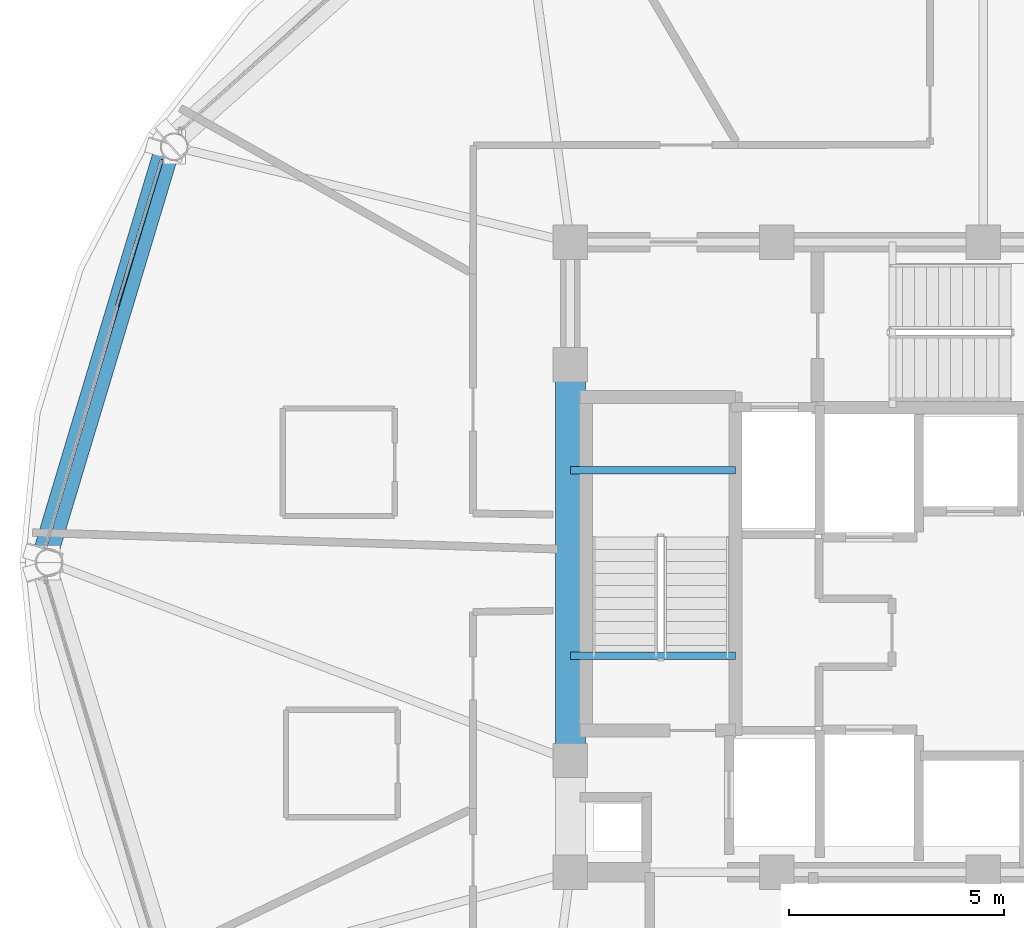
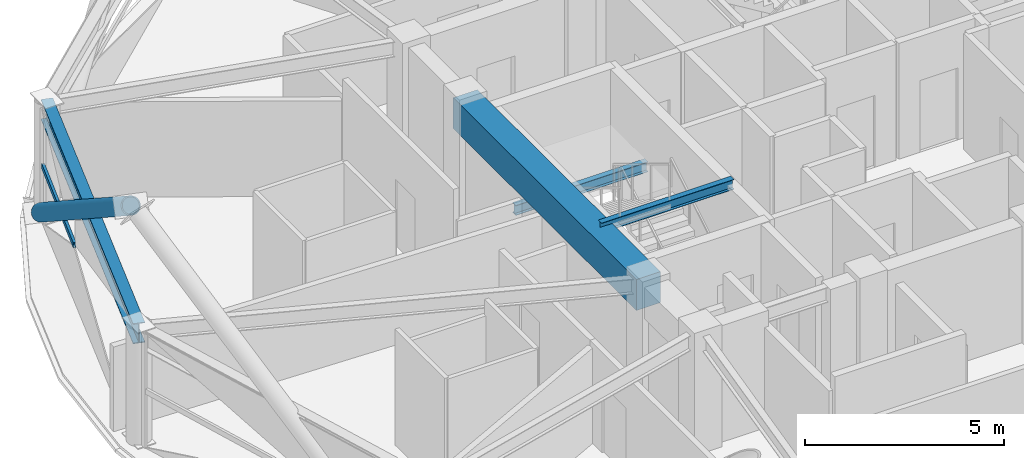
# One storey, part 8 of 29: 4 beams, 2 members, 1 element without a shape of its own.
"""IFC4 building model written with IfcOpenShell, lengths in metres."""

from ifc_helpers import new_model, si_unit, direction, frame, origin, origin_2d, place, context, subcontext, project, spatial, rectangle, hollow_rectangle, hollow_circle, i_section, extrude, material, layer, layer_set, material_profile, profile_set, type_object, element, aggregate, save


model = new_model("IFC4")

# Units and contexts
model_context = context("Model", 3, precision=1e-05, world=origin(), true_north=direction((0.0, 1.0)))
body_context = subcontext(model_context, "Body", "Model", "MODEL_VIEW")
ifc_project = project(units=[si_unit("LENGTHUNIT", "METRE"), si_unit("AREAUNIT", "SQUARE_METRE"), si_unit("VOLUMEUNIT", "CUBIC_METRE"), si_unit("PLANEANGLEUNIT", "RADIAN"), si_unit("MASSUNIT", "GRAM", prefix="KILO")], contexts=[model_context])

# Site, building, storey
site_placement = place(None, origin())
site = spatial("IfcSite", under=ifc_project, at=site_placement, CompositionType="ELEMENT")
building_placement = place(site_placement, origin())
building = spatial("IfcBuilding", under=site, at=building_placement, Name="Vantalir Tower", CompositionType="ELEMENT")
storey_placement = place(building_placement, frame((0.0, 0.0, 234.89990234375)))
storey = spatial("IfcBuildingStorey", under=building, at=storey_placement, Name="L59", CompositionType="ELEMENT", Elevation=234.89990234375)

# Beams
ifc_material_1 = material(Name="Concrete C60/75", Category="concrete")
ifc_material_profile_1 = material_profile(ifc_material_1, rectangle(XDim=0.699951171875, YDim=0.949951171875, at=origin_2d()), Name="Concrete C60/75")
ifc_profile_set_1 = profile_set([ifc_material_profile_1], Name="Concrete C60/75")
beam_type_1 = type_object("IfcBeamType", Name="BM-CB-700x950", PredefinedType="USERDEFINED", material=ifc_profile_set_1)
beam_1_placement = place(storey_placement, frame((21.89990234375, 29.60009765625, 3.09521484375), z_axis=(0.0, -1.0, 0.0), x_axis=(1.0, 0.0, 0.0)))
element("IfcBeam", 1, at=beam_1_placement, inside=storey, type_object=beam_type_1, Name="L59 Core Coupling Girder 13", ObjectType="GIRDER", PredefinedType="USERDEFINED", context=body_context, shape_type="SweptSolid", body=[
    extrude(rectangle(XDim=0.699951171875, YDim=0.949951171875, at=origin_2d()), origin(), (0.0, 0.0, 1.0), 9.2001953125),
])
ifc_material_2 = material(Name="Steel S355", Category="steel")
ifc_material_profile_2 = material_profile(ifc_material_2, i_section(OverallWidth=0.166015625, OverallDepth=0.306884765625, WebThickness=0.006591796875, FlangeThickness=0.01171875, at=origin_2d()), Name="Steel S355")
ifc_profile_set_2 = profile_set([ifc_material_profile_2], Name="Steel S355")
beam_type_2 = type_object("IfcBeamType", Name="BM-JS-305x165", PredefinedType="JOIST", material=ifc_profile_set_2)
for number, where, z_axis, x_axis, name in (
    (2, (21.89990234375, 22.8349609375, 3.59619140625), (1.0, 0.0, 0.0), (0.0, 1.0, 0.0), "L60 Stair ST1 Well Nosing Trimmer Beam"),
    (3, (21.89990234375, 27.14501953125, 1.52099609375), (1.0, 0.0, 0.0), (0.0, 1.0, 0.0), "L59 Stair ST1 Half-Landing Support Beam"),
):
    element("IfcBeam", number, at=place(storey_placement, frame(where, z_axis=z_axis, x_axis=x_axis)), inside=storey, type_object=beam_type_2, Name=name, PredefinedType="JOIST", context=body_context, shape_type="SweptSolid", body=[
        extrude(i_section(OverallWidth=0.166015625, OverallDepth=0.306884765625, WebThickness=0.006591796875, FlangeThickness=0.01171875, at=origin_2d()), origin(), (0.0, 0.0, 1.0), 3.840087890625),
    ])
ifc_material_3 = material(Name="Steel S460", Category="steel")
ifc_material_profile_3 = material_profile(ifc_material_3, i_section(OverallWidth=0.306884765625, OverallDepth=0.6201171875, WebThickness=0.01416015625, FlangeThickness=0.023681640625, at=origin_2d()), Name="Steel S460")
ifc_profile_set_3 = profile_set([ifc_material_profile_3], Name="Steel S460")
beam_type_3 = type_object("IfcBeamType", Name="BM-RG-610x305", PredefinedType="USERDEFINED", material=ifc_profile_set_3)
beam_2_placement = place(storey_placement, frame((12.69189453125, 34.666015625, 3.260009765625), z_axis=(-0.288266356679, -0.95755026375, 0.0), x_axis=(0.95755026375, -0.288266356679, 0.0)))
element("IfcBeam", 4, at=beam_2_placement, inside=storey, type_object=beam_type_3, Name="L59 Circumferential Ring Girder 06", ObjectType="GIRDER", PredefinedType="USERDEFINED", context=body_context, shape_type="SweptSolid", body=[
    extrude(i_section(OverallWidth=0.306884765625, OverallDepth=0.6201171875, WebThickness=0.01416015625, FlangeThickness=0.023681640625, at=origin_2d()), origin(), (0.0, 0.0, 1.0), 10.094482421875),
])

# Curtain wall, member
ifc_material_4 = material(Name="Champagne-silver PVDF aluminium and double-silver Low-E glass", Category="aluminium")
ifc_layer = layer(ifc_material_4, 0.2099609375)
ifc_layer_set = layer_set([ifc_layer], Name="Champagne-silver PVDF aluminium and double-silver Low-E glass")
curtain_wall_type = type_object("IfcCurtainWallType", Name="CW-DIAMOND-Z3", PredefinedType="USERDEFINED", material=ifc_layer_set)
curtain_wall_placement = place(storey_placement, origin())
curtain_wall = element("IfcCurtainWall", 5, at=curtain_wall_placement, inside=storey, type_object=curtain_wall_type, Name="L59 Quilted Pyramid-Diamond Curtain Wall S06", ObjectType="UNITISED CURTAIN WALL", PredefinedType="USERDEFINED")
ifc_material_5 = material(Name="Champagne-silver PVDF aluminium 6063-T6", Category="aluminium")
ifc_material_profile_4 = material_profile(ifc_material_5, hollow_rectangle(XDim=0.074951171875, YDim=0.159912109375, WallThickness=0.00390625, at=origin_2d()), Name="Champagne-silver PVDF aluminium 6063-T6")
ifc_profile_set_4 = profile_set([ifc_material_profile_4], Name="Champagne-silver PVDF aluminium 6063-T6")
member_type_1 = type_object("IfcMemberType", Name="CWT-160x75", PredefinedType="USERDEFINED", material=ifc_profile_set_4)
member_1_placement = place(storey_placement, frame((12.408935546875, 34.367919921875, 1.78515625), z_axis=(-0.294471161401, -0.955660365979, 0.0), x_axis=(0.955660365979, -0.294471161401, 0.0)))
member_1 = element("IfcMember", 6, at=member_1_placement, type_object=member_type_1, Name="CW-L59-S06 Pyramid Fold Ridge Transom", ObjectType="TRANSOM", PredefinedType="USERDEFINED", context=body_context, shape_type="SweptSolid", body=[
    extrude(hollow_rectangle(XDim=0.074951171875, YDim=0.159912109375, WallThickness=0.00390625, at=origin_2d()), origin(), (0.0, 0.0, 1.0), 3.561767578125),
])
aggregate(curtain_wall, [member_1])

# Member
ifc_material_profile_5 = material_profile(ifc_material_3, hollow_circle(Radius=0.25, WallThickness=0.031982421875, at=origin_2d()), Name="Steel S460")
ifc_profile_set_5 = profile_set([ifc_material_profile_5], Name="Steel S460")
member_type_2 = type_object("IfcMemberType", Name="MEM-DB-500x32", PredefinedType="BRACE", material=ifc_profile_set_5)
member_2_placement = place(storey_placement, frame((12.47509765625, 34.589111328125, 0.2060546875), z_axis=(-0.23558240087, -0.783622315141, 0.574836498157), x_axis=(0.957659390234, -0.287903616332, 0.0)))
element("IfcMember", 7, at=member_2_placement, inside=storey, type_object=member_type_2, Name="L59 Perimeter S460 Diagrid Brace R16L", PredefinedType="BRACE", context=body_context, shape_type="SweptSolid", body=[
    extrude(hollow_circle(Radius=0.25, WallThickness=0.031982421875, at=origin_2d()), origin(), (0.0, 0.0, 1.0), 12.017333984375),
])

save(model, "model.ifc")
